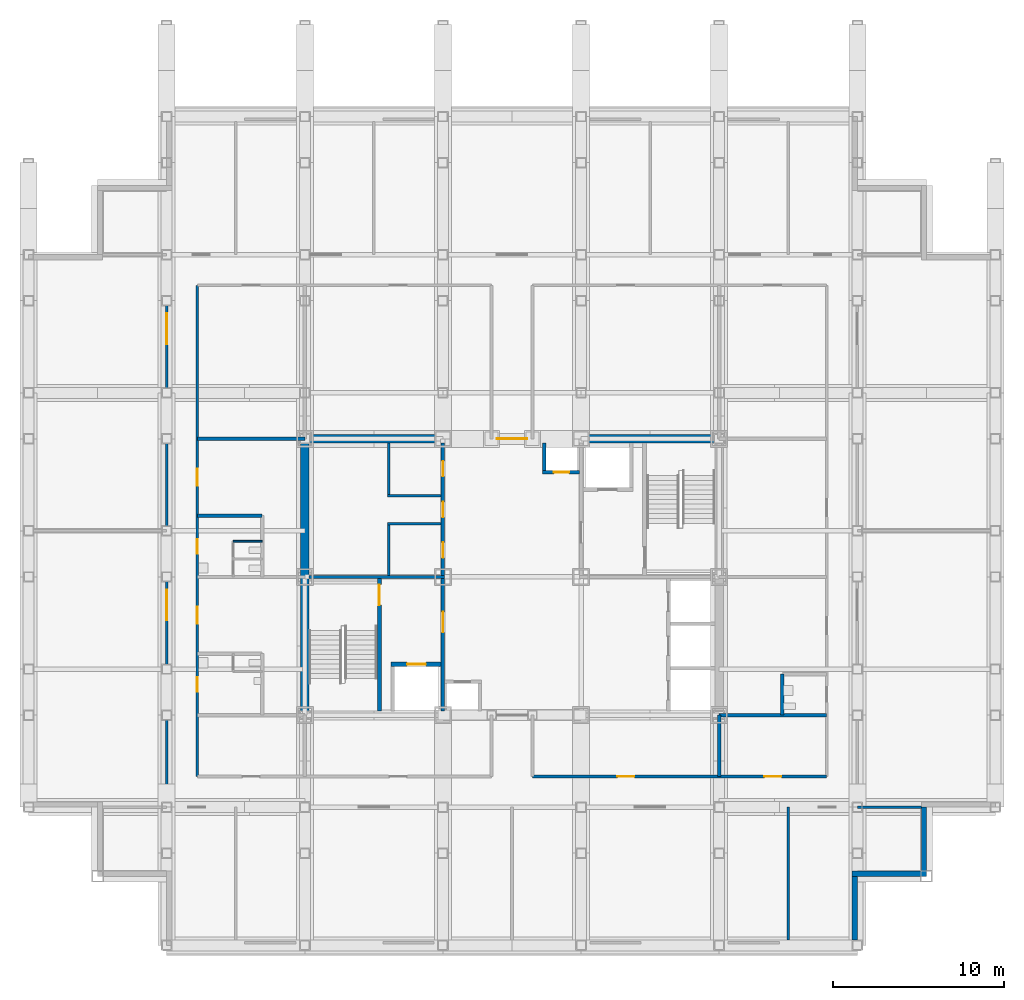
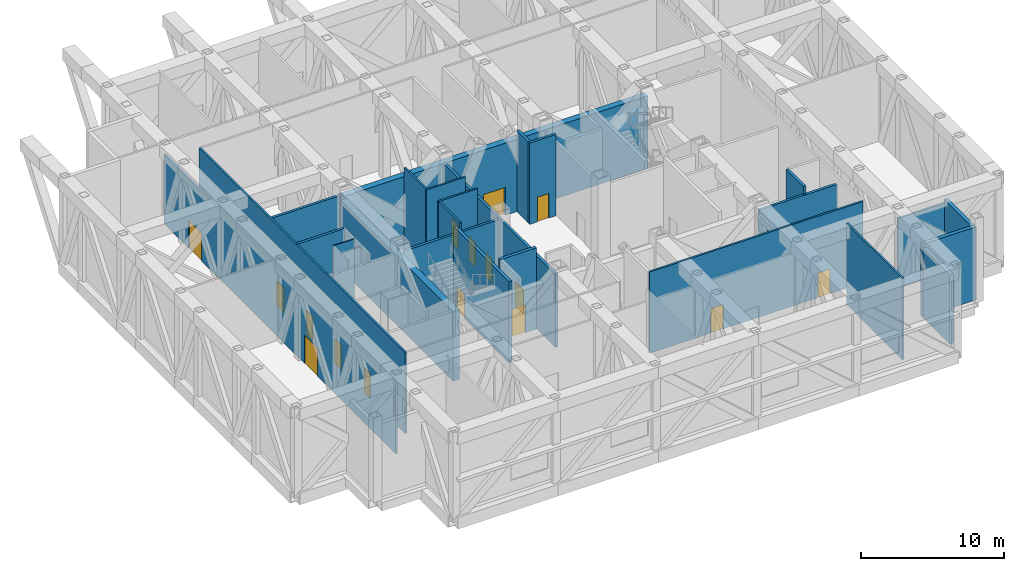
# One storey, part 8 of 13: 27 walls, 16 doors, 16 openings.
"""IFC4 building model written with IfcOpenShell, lengths in metres."""

from ifc_helpers import new_model, si_unit, direction, frame, frame_2d, origin, place, context, subcontext, project, spatial, rectangle, extrude, material, layer, layer_set, type_object, element, fill, save


model = new_model("IFC4")

# Units and contexts
model_context = context("Model", 3, precision=1e-05, world=origin(), true_north=direction((0.0, 1.0)))
body_context = subcontext(model_context, "Body", "Model", "MODEL_VIEW")
ifc_project = project(units=[si_unit("LENGTHUNIT", "METRE"), si_unit("AREAUNIT", "SQUARE_METRE"), si_unit("VOLUMEUNIT", "CUBIC_METRE"), si_unit("PLANEANGLEUNIT", "RADIAN"), si_unit("MASSUNIT", "GRAM", prefix="KILO")], contexts=[model_context])

# Site, building, storey
site_placement = place(None, origin())
site = spatial("IfcSite", under=ifc_project, at=site_placement, CompositionType="ELEMENT")
building_placement = place(site_placement, origin())
building = spatial("IfcBuilding", under=site, at=building_placement, Name="Kopane Lantern Tower", CompositionType="ELEMENT")
storey_placement = place(building_placement, frame((0.0, 0.0, 235.199951171875)))
storey = spatial("IfcBuildingStorey", under=building, at=storey_placement, Name="L61", CompositionType="ELEMENT", Elevation=235.199951171875)

# Wall
ifc_material_1 = material(Name="Moisture-resistant board on steel studs", Category="steel")
ifc_layer_1 = layer(ifc_material_1, 0.10009765625)
ifc_layer_set_1 = layer_set([ifc_layer_1], Name="BATHROOM WALL 100")
wall_type_1 = type_object("IfcWallType", Name="BATHROOM WALL 100", PredefinedType="PARTITIONING", material=ifc_layer_set_1)
wall_1_placement = place(storey_placement, frame((12.0, 34.5, 0.0), z_axis=(0.0, 0.0, 1.0), x_axis=(1.0, 0.0, 0.0)))
element("IfcWall", 1, at=wall_1_placement, inside=storey, type_object=wall_type_1, Name="Bathroom Wall 100 L61", PredefinedType="PARTITIONING", context=body_context, shape_type="SweptSolid", body=[
    extrude(rectangle(XDim=1.699951171875, YDim=0.10009765625, at=frame_2d((0.85009765625, 0.0))), origin(), (0.0, 0.0, 1.0), 6.949951171875),
])

# Wall, opening, door
ifc_material_2 = material(Name="Gypsum shaft wall EI 120", Category="gypsum")
ifc_layer_2 = layer(ifc_material_2, 0.5)
ifc_layer_set_2 = layer_set([ifc_layer_2], Name="CORE PERIMETER WALL 500 EI 120")
wall_type_2 = type_object("IfcWallType", Name="CORE PERIMETER WALL 500 EI 120", PredefinedType="SOLIDWALL", material=ifc_layer_set_2)
wall_2_placement = place(storey_placement, frame((15.949951171875, 40.5, 0.0), z_axis=(0.0, 0.0, 1.0), x_axis=(1.0, 0.0, 0.0)))
wall_2 = element("IfcWall", 2, at=wall_2_placement, inside=storey, type_object=wall_type_2, Name="Core shaft wall L61 PN", PredefinedType="SOLIDWALL", context=body_context, shape_type="SweptSolid", body=[
    extrude(rectangle(XDim=24.800048828125, YDim=0.5, at=frame_2d((12.39990234375, 0.0))), origin(), (0.0, 0.0, 1.0), 6.187744140625),
])
opening_1_placement = place(wall_2_placement, frame((11.5, 0.0, 0.0)))
opening_1 = element("IfcOpeningElement", 3, at=opening_1_placement, cuts=wall_2, Name="Opening 61.CE-N", PredefinedType="OPENING", context=body_context, shape_type="SweptSolid", body=[
    extrude(rectangle(XDim=1.800048828125, YDim=2.39990234375, at=frame_2d((0.89990234375, 1.199951171875))), frame((0.0, 0.260009765625, 0.0), z_axis=(0.0, -1.0, 0.0), x_axis=(1.0, 0.0, 0.0)), (0.0, 0.0, 1.0), 0.52001953125),
])
ifc_material_3 = material(Name="Steel door set", Category="steel")
door_type_1 = type_object("IfcDoorType", Name="CORE ENTRY DOOR 1800x2400 FD60S", OperationType="DOUBLE_DOOR_SINGLE_SWING", PredefinedType="DOOR", material=ifc_material_3)
door_1_placement = place(opening_1_placement, origin())
door_1 = element("IfcDoor", 4, at=door_1_placement, inside=storey, type_object=door_type_1, Name="Core entry door L61 north", OperationType="DOUBLE_DOOR_SINGLE_SWING", OverallHeight=2.39990234375, OverallWidth=1.800048828125, PredefinedType="DOOR", context=body_context, shape_type="SweptSolid", body=[
    extrude(rectangle(XDim=1.800048828125, YDim=2.39990234375, at=frame_2d((0.89990234375, 1.199951171875))), frame((0.0, 0.02490234375, 0.0), z_axis=(0.0, -1.0, 0.0), x_axis=(1.0, 0.0, 0.0)), (0.0, 0.0, 1.0), 0.050048828125),
])
fill(opening_1, door_1)

# Walls
wall_3_placement = place(storey_placement, frame((16.199951171875, 24.550048828125, 0.0), z_axis=(0.0, 0.0, 1.0), x_axis=(0.0, 1.0, 0.0)))
element("IfcWall", 5, at=wall_3_placement, inside=storey, type_object=wall_type_2, Name="Core shaft wall L61 PW", PredefinedType="SOLIDWALL", context=body_context, shape_type="SweptSolid", body=[
    extrude(rectangle(XDim=15.699951171875, YDim=0.5, at=frame_2d((7.85009765625, 0.0))), origin(), (0.0, 0.0, 1.0), 5.949951171875),
])
ifc_material_4 = material(Name="Gypsum partition EI 60", Category="gypsum")
ifc_layer_3 = layer(ifc_material_4, 0.14990234375)
ifc_layer_set_3 = layer_set([ifc_layer_3], Name="CORE ROOM PARTITION 150 EI 60")
wall_type_3 = type_object("IfcWallType", Name="CORE ROOM PARTITION 150 EI 60", PredefinedType="PARTITIONING", material=ifc_layer_set_3)
for number, where, z_axis, x_axis, name in (
    (6, (21.050048828125, 35.52490234375, 0.0), (0.0, 0.0, 1.0), (1.0, 0.0, 0.0), "Core room partition L61 WW1"),
    (7, (21.050048828125, 37.175048828125, 0.0), (0.0, 0.0, 1.0), (1.0, 0.0, 0.0), "Core room partition L61 WW2"),
):
    element("IfcWall", number, at=place(storey_placement, frame(where, z_axis=z_axis, x_axis=x_axis)), inside=storey, type_object=wall_type_3, Name=name, PredefinedType="PARTITIONING", context=body_context, shape_type="SweptSolid", body=[
        extrude(rectangle(XDim=3.14990234375, YDim=0.14990234375, at=frame_2d((1.574951171875, 0.0))), origin(), (0.0, 0.0, 1.0), 6.949951171875),
    ])
wall_4_placement = place(storey_placement, frame((21.125, 32.5, 0.0), z_axis=(0.0, 0.0, 1.0), x_axis=(0.0, 1.0, 0.0)))
element("IfcWall", 8, at=wall_4_placement, inside=storey, type_object=wall_type_3, Name="Core room partition L61 WWB0", PredefinedType="PARTITIONING", context=body_context, shape_type="SweptSolid", body=[
    extrude(rectangle(XDim=2.949951171875, YDim=0.14990234375, at=frame_2d((1.47509765625, 0.0))), origin(), (0.0, 0.0, 1.0), 6.949951171875),
])
wall_5_placement = place(storey_placement, frame((21.125, 37.25, 0.0), z_axis=(0.0, 0.0, 1.0), x_axis=(0.0, 1.0, 0.0)))
element("IfcWall", 9, at=wall_5_placement, inside=storey, type_object=wall_type_3, Name="Core room partition L61 WWB1", PredefinedType="PARTITIONING", context=body_context, shape_type="SweptSolid", body=[
    extrude(rectangle(XDim=3.0, YDim=0.14990234375, at=frame_2d((1.5, 0.0))), origin(), (0.0, 0.0, 1.0), 6.949951171875),
])

# Wall, openings, doors
ifc_material_5 = material(Name="Gypsum partition EI 60", Category="gypsum")
ifc_layer_4 = layer(ifc_material_5, 0.199951171875)
ifc_layer_set_4 = layer_set([ifc_layer_4], Name="CORE ROOM WALL 200 EI 60")
wall_type_4 = type_object("IfcWallType", Name="CORE ROOM WALL 200 EI 60", PredefinedType="PARTITIONING", material=ifc_layer_set_4)
wall_6_placement = place(storey_placement, frame((24.300048828125, 32.5, 0.0), z_axis=(0.0, 0.0, 1.0), x_axis=(0.0, 1.0, 0.0)))
wall_6 = element("IfcWall", 10, at=wall_6_placement, inside=storey, type_object=wall_type_4, Name="Core room wall L61 XW", PredefinedType="PARTITIONING", context=body_context, shape_type="SweptSolid", body=[
    extrude(rectangle(XDim=7.75, YDim=0.199951171875, at=frame_2d((3.875, 0.0))), origin(), (0.0, 0.0, 1.0), 6.25),
])
opening_2_placement = place(wall_6_placement, frame((1.02490234375, 0.0, 0.0)))
opening_2 = element("IfcOpeningElement", 11, at=opening_2_placement, cuts=wall_6, Name="Opening 61.C30", PredefinedType="OPENING", context=body_context, shape_type="SweptSolid", body=[
    extrude(rectangle(XDim=0.89990234375, YDim=2.10009765625, at=frame_2d((0.449951171875, 1.050048828125))), frame((0.0, 0.10986328125, 0.0), z_axis=(0.0, -1.0, 0.0), x_axis=(1.0, 0.0, 0.0)), (0.0, 0.0, 1.0), 0.219970703125),
])
opening_3_placement = place(wall_6_placement, frame((3.39990234375, 0.0, 0.0)))
opening_3 = element("IfcOpeningElement", 12, at=opening_3_placement, cuts=wall_6, Name="Opening 61.C31", PredefinedType="OPENING", context=body_context, shape_type="SweptSolid", body=[
    extrude(rectangle(XDim=0.89990234375, YDim=2.10009765625, at=frame_2d((0.449951171875, 1.050048828125))), frame((0.0, 0.10986328125, 0.0), z_axis=(0.0, -1.0, 0.0), x_axis=(1.0, 0.0, 0.0)), (0.0, 0.0, 1.0), 0.219970703125),
])
opening_4_placement = place(wall_6_placement, frame((5.800048828125, 0.0, 0.0)))
opening_4 = element("IfcOpeningElement", 13, at=opening_4_placement, cuts=wall_6, Name="Opening 61.C32", PredefinedType="OPENING", context=body_context, shape_type="SweptSolid", body=[
    extrude(rectangle(XDim=0.89990234375, YDim=2.10009765625, at=frame_2d((0.449951171875, 1.050048828125))), frame((0.0, 0.10986328125, 0.0), z_axis=(0.0, -1.0, 0.0), x_axis=(1.0, 0.0, 0.0)), (0.0, 0.0, 1.0), 0.219970703125),
])
ifc_material_6 = material(Name="Steel door set", Category="steel")
door_type_2 = type_object("IfcDoorType", Name="CORE ROOM DOOR 900x2100 FD60", OperationType="SINGLE_SWING_LEFT", PredefinedType="DOOR", material=ifc_material_6)
door_2_placement = place(opening_2_placement, origin())
door_2 = element("IfcDoor", 14, at=door_2_placement, inside=storey, type_object=door_type_2, Name="Door Spare parts store L61", OperationType="SINGLE_SWING_LEFT", OverallHeight=2.10009765625, OverallWidth=0.89990234375, PredefinedType="DOOR", context=body_context, shape_type="SweptSolid", body=[
    extrude(rectangle(XDim=0.89990234375, YDim=2.10009765625, at=frame_2d((0.449951171875, 1.050048828125))), frame((0.0, 0.02490234375, 0.0), z_axis=(0.0, -1.0, 0.0), x_axis=(1.0, 0.0, 0.0)), (0.0, 0.0, 1.0), 0.050048828125),
])
fill(opening_2, door_2)
door_3_placement = place(opening_3_placement, origin())
door_3 = element("IfcDoor", 15, at=door_3_placement, inside=storey, type_object=door_type_2, Name="Door Mechanical plant room L61", OperationType="SINGLE_SWING_RIGHT", OverallHeight=2.10009765625, OverallWidth=0.89990234375, PredefinedType="DOOR", context=body_context, shape_type="SweptSolid", body=[
    extrude(rectangle(XDim=0.89990234375, YDim=2.10009765625, at=frame_2d((0.449951171875, 1.050048828125))), frame((0.0, 0.02490234375, 0.0), z_axis=(0.0, -1.0, 0.0), x_axis=(1.0, 0.0, 0.0)), (0.0, 0.0, 1.0), 0.050048828125),
])
fill(opening_3, door_3)
door_4_placement = place(opening_4_placement, origin())
door_4 = element("IfcDoor", 16, at=door_4_placement, inside=storey, type_object=door_type_2, Name="Door Electrical room L61", OperationType="SINGLE_SWING_LEFT", OverallHeight=2.10009765625, OverallWidth=0.89990234375, PredefinedType="DOOR", context=body_context, shape_type="SweptSolid", body=[
    extrude(rectangle(XDim=0.89990234375, YDim=2.10009765625, at=frame_2d((0.449951171875, 1.050048828125))), frame((0.0, 0.02490234375, 0.0), z_axis=(0.0, -1.0, 0.0), x_axis=(1.0, 0.0, 0.0)), (0.0, 0.0, 1.0), 0.050048828125),
])
fill(opening_4, door_4)

# Wall, opening, door
ifc_material_7 = material(Name="Gypsum shaft wall EI 120", Category="gypsum")
ifc_layer_5 = layer(ifc_material_7, 0.25)
ifc_layer_set_5 = layer_set([ifc_layer_5], Name="CORE SHAFT WALL 250 EI 120")
wall_type_5 = type_object("IfcWallType", Name="CORE SHAFT WALL 250 EI 120", PredefinedType="SOLIDWALL", material=ifc_layer_set_5)
wall_7_placement = place(storey_placement, frame((20.574951171875, 24.550048828125, 0.0), z_axis=(0.0, 0.0, 1.0), x_axis=(0.0, 1.0, 0.0)))
wall_7 = element("IfcWall", 17, at=wall_7_placement, inside=storey, type_object=wall_type_5, Name="Core shaft wall L61 XST1", PredefinedType="SOLIDWALL", context=body_context, shape_type="SweptSolid", body=[
    extrude(rectangle(XDim=7.75, YDim=0.25, at=frame_2d((3.875, 0.0))), origin(), (0.0, 0.0, 1.0), 6.949951171875),
])
opening_5_placement = place(wall_7_placement, frame((6.199951171875, 0.0, 0.0)))
opening_5 = element("IfcOpeningElement", 18, at=opening_5_placement, cuts=wall_7, Name="Opening 61.SD1", PredefinedType="OPENING", context=body_context, shape_type="SweptSolid", body=[
    extrude(rectangle(XDim=1.199951171875, YDim=2.10009765625, at=frame_2d((0.60009765625, 1.050048828125))), frame((0.0, 0.135009765625, 0.0), z_axis=(0.0, -1.0, 0.0), x_axis=(1.0, 0.0, 0.0)), (0.0, 0.0, 1.0), 0.27001953125),
])
ifc_material_8 = material(Name="Steel door set", Category="steel")
door_type_3 = type_object("IfcDoorType", Name="STAIR DOOR 1200x2100 FD60S", OperationType="SINGLE_SWING_LEFT", PredefinedType="DOOR", material=ifc_material_8)
door_5_placement = place(opening_5_placement, origin())
door_5 = element("IfcDoor", 19, at=door_5_placement, inside=storey, type_object=door_type_3, Name="Stair door ST1 L61", OperationType="SINGLE_SWING_LEFT", OverallHeight=2.10009765625, OverallWidth=1.199951171875, PredefinedType="DOOR", context=body_context, shape_type="SweptSolid", body=[
    extrude(rectangle(XDim=1.199951171875, YDim=2.10009765625, at=frame_2d((0.60009765625, 1.050048828125))), frame((0.0, 0.02490234375, 0.0), z_axis=(0.0, -1.0, 0.0), x_axis=(1.0, 0.0, 0.0)), (0.0, 0.0, 1.0), 0.050048828125),
])
fill(opening_5, door_5)

wall_8_placement = place(storey_placement, frame((21.25, 27.27490234375, 0.0), z_axis=(0.0, 0.0, 1.0), x_axis=(1.0, 0.0, 0.0)))
wall_8 = element("IfcWall", 20, at=wall_8_placement, inside=storey, type_object=wall_type_5, Name="Core shaft wall L61 YLF1", PredefinedType="SOLIDWALL", context=body_context, shape_type="SweptSolid", body=[
    extrude(rectangle(XDim=2.949951171875, YDim=0.25, at=frame_2d((1.47509765625, 0.0))), origin(), (0.0, 0.0, 1.0), 6.949951171875),
])
opening_6_placement = place(wall_8_placement, frame((0.949951171875, 0.0, 0.0)))
opening_6 = element("IfcOpeningElement", 21, at=opening_6_placement, cuts=wall_8, Name="Opening 61.LD-LF1", PredefinedType="OPENING", context=body_context, shape_type="SweptSolid", body=[
    extrude(rectangle(XDim=1.10009765625, YDim=2.39990234375, at=frame_2d((0.550048828125, 1.199951171875))), frame((0.0, 0.135009765625, 0.0), z_axis=(0.0, -1.0, 0.0), x_axis=(1.0, 0.0, 0.0)), (0.0, 0.0, 1.0), 0.27001953125),
])
ifc_material_9 = material(Name="Steel door set", Category="steel")
door_type_4 = type_object("IfcDoorType", Name="LIFT LANDING DOOR 1100x2400 FD60", OperationType="DOUBLE_DOOR_SLIDING", PredefinedType="DOOR", material=ifc_material_9)
door_6_placement = place(opening_6_placement, origin())
door_6 = element("IfcDoor", 22, at=door_6_placement, inside=storey, type_object=door_type_4, Name="Landing door LF1 L61", OperationType="DOUBLE_DOOR_SLIDING", OverallHeight=2.39990234375, OverallWidth=1.10009765625, PredefinedType="DOOR", context=body_context, shape_type="SweptSolid", body=[
    extrude(rectangle(XDim=1.10009765625, YDim=2.39990234375, at=frame_2d((0.550048828125, 1.199951171875))), frame((0.0, 0.02490234375, 0.0), z_axis=(0.0, -1.0, 0.0), x_axis=(1.0, 0.0, 0.0)), (0.0, 0.0, 1.0), 0.050048828125),
])
fill(opening_6, door_6)

# Wall, openings, doors
ifc_material_10 = material(Name="Gypsum board on steel studs", Category="steel")
ifc_layer_6 = layer(ifc_material_10, 0.14990234375)
ifc_layer_set_6 = layer_set([ifc_layer_6], Name="CORRIDOR WALL 150 EI 60")
wall_type_6 = type_object("IfcWallType", Name="CORRIDOR WALL 150 EI 60", PredefinedType="PARTITIONING", material=ifc_layer_set_6)
wall_9_placement = place(storey_placement, frame((8.10009765625, 18.89990234375, 0.0), z_axis=(0.0, 0.0, 1.0), x_axis=(0.0, 1.0, 0.0)))
wall_9 = element("IfcWall", 23, at=wall_9_placement, inside=storey, type_object=wall_type_6, Name="Corridor Wall 150 Ei 60 L61", PredefinedType="PARTITIONING", context=body_context, shape_type="SweptSolid", body=[
    extrude(rectangle(XDim=32.400146484375, YDim=0.14990234375, at=frame_2d((16.2001953125, 0.0))), origin(), (0.0, 0.0, 1.0), 5.949951171875),
])
opening_7_placement = place(wall_9_placement, frame((10.949951171875, 0.0, 0.0)))
opening_7 = element("IfcOpeningElement", 24, at=opening_7_placement, cuts=wall_9, Name="Opening L61-021", PredefinedType="OPENING", context=body_context, shape_type="SweptSolid", body=[
    extrude(rectangle(XDim=1.800048828125, YDim=2.39990234375, at=frame_2d((0.89990234375, 1.199951171875))), frame((0.0, 0.0849609375, 0.0), z_axis=(0.0, -1.0, 0.0), x_axis=(1.0, 0.0, 0.0)), (0.0, 0.0, 1.0), 0.169921875),
])
opening_8_placement = place(wall_9_placement, frame((27.14990234375, 0.0, 0.0)))
opening_8 = element("IfcOpeningElement", 25, at=opening_8_placement, cuts=wall_9, Name="Opening L61-022", PredefinedType="OPENING", context=body_context, shape_type="SweptSolid", body=[
    extrude(rectangle(XDim=1.800048828125, YDim=2.39990234375, at=frame_2d((0.89990234375, 1.199951171875))), frame((0.0, 0.0849609375, 0.0), z_axis=(0.0, -1.0, 0.0), x_axis=(1.0, 0.0, 0.0)), (0.0, 0.0, 1.0), 0.169921875),
])
ifc_material_11 = material(Name="Steel door set", Category="steel")
door_type_5 = type_object("IfcDoorType", Name="DOOR D8 1800x2400 FD120", OperationType="SINGLE_SWING_LEFT", PredefinedType="DOOR", material=ifc_material_11)
door_7_placement = place(opening_7_placement, origin())
door_7 = element("IfcDoor", 26, at=door_7_placement, inside=storey, type_object=door_type_5, Name="Door L61-021", OperationType="DOUBLE_DOOR_SINGLE_SWING", OverallHeight=2.39990234375, OverallWidth=1.800048828125, PredefinedType="DOOR", context=body_context, shape_type="SweptSolid", body=[
    extrude(rectangle(XDim=1.800048828125, YDim=2.39990234375, at=frame_2d((0.89990234375, 1.199951171875))), frame((0.0, 0.02490234375, 0.0), z_axis=(0.0, -1.0, 0.0), x_axis=(1.0, 0.0, 0.0)), (0.0, 0.0, 1.0), 0.050048828125),
])
fill(opening_7, door_7)
door_8_placement = place(opening_8_placement, origin())
door_8 = element("IfcDoor", 27, at=door_8_placement, inside=storey, type_object=door_type_5, Name="Door L61-022", OperationType="DOUBLE_DOOR_SINGLE_SWING", OverallHeight=2.39990234375, OverallWidth=1.800048828125, PredefinedType="DOOR", context=body_context, shape_type="SweptSolid", body=[
    extrude(rectangle(XDim=1.800048828125, YDim=2.39990234375, at=frame_2d((0.89990234375, 1.199951171875))), frame((0.0, 0.02490234375, 0.0), z_axis=(0.0, -1.0, 0.0), x_axis=(1.0, 0.0, 0.0)), (0.0, 0.0, 1.0), 0.050048828125),
])
fill(opening_8, door_8)

wall_10_placement = place(storey_placement, frame((9.89990234375, 49.5, 0.0), z_axis=(0.0, 0.0, 1.0), x_axis=(0.0, -1.0, 0.0)))
wall_10 = element("IfcWall", 28, at=wall_10_placement, inside=storey, type_object=wall_type_6, Name="Corridor Wall 150 Ei 60 L61", PredefinedType="PARTITIONING", context=body_context, shape_type="SweptSolid", body=[
    extrude(rectangle(XDim=28.800048828125, YDim=0.14990234375, at=frame_2d((14.39990234375, 0.0))), origin(), (0.0, 0.0, 1.0), 6.949951171875),
])
opening_9_placement = place(wall_10_placement, frame((22.97509765625, 0.0, 0.0)))
opening_9 = element("IfcOpeningElement", 29, at=opening_9_placement, cuts=wall_10, Name="Opening L61-001", PredefinedType="OPENING", context=body_context, shape_type="SweptSolid", body=[
    extrude(rectangle(XDim=0.85009765625, YDim=2.10009765625, at=frame_2d((0.425048828125, 1.050048828125))), frame((0.0, 0.0849609375, 0.0), z_axis=(0.0, -1.0, 0.0), x_axis=(1.0, 0.0, 0.0)), (0.0, 0.0, 1.0), 0.169921875),
])
opening_10_placement = place(wall_10_placement, frame((18.85009765625, 0.0, 0.0)))
opening_10 = element("IfcOpeningElement", 30, at=opening_10_placement, cuts=wall_10, Name="Opening L61-002", PredefinedType="OPENING", context=body_context, shape_type="SweptSolid", body=[
    extrude(rectangle(XDim=1.0, YDim=2.10009765625, at=frame_2d((0.5, 1.050048828125))), frame((0.0, 0.0849609375, 0.0), z_axis=(0.0, -1.0, 0.0), x_axis=(1.0, 0.0, 0.0)), (0.0, 0.0, 1.0), 0.169921875),
])
opening_11_placement = place(wall_10_placement, frame((14.875, 0.0, 0.0)))
opening_11 = element("IfcOpeningElement", 31, at=opening_11_placement, cuts=wall_10, Name="Opening L61-003", PredefinedType="OPENING", context=body_context, shape_type="SweptSolid", body=[
    extrude(rectangle(XDim=0.85009765625, YDim=2.10009765625, at=frame_2d((0.425048828125, 1.050048828125))), frame((0.0, 0.0849609375, 0.0), z_axis=(0.0, -1.0, 0.0), x_axis=(1.0, 0.0, 0.0)), (0.0, 0.0, 1.0), 0.169921875),
])
opening_12_placement = place(wall_10_placement, frame((10.75, 0.0, 0.0)))
opening_12 = element("IfcOpeningElement", 32, at=opening_12_placement, cuts=wall_10, Name="Opening L61-004", PredefinedType="OPENING", context=body_context, shape_type="SweptSolid", body=[
    extrude(rectangle(XDim=1.0, YDim=2.10009765625, at=frame_2d((0.5, 1.050048828125))), frame((0.0, 0.0849609375, 0.0), z_axis=(0.0, -1.0, 0.0), x_axis=(1.0, 0.0, 0.0)), (0.0, 0.0, 1.0), 0.169921875),
])
ifc_material_12 = material(Name="Timber door set", Category="wood")
door_type_6 = type_object("IfcDoorType", Name="DOOR D4 850x2100", OperationType="SINGLE_SWING_LEFT", PredefinedType="DOOR", material=ifc_material_12)
door_9_placement = place(opening_9_placement, origin())
door_9 = element("IfcDoor", 33, at=door_9_placement, inside=storey, type_object=door_type_6, Name="Door L61-001", OperationType="SINGLE_SWING_RIGHT", OverallHeight=2.10009765625, OverallWidth=0.85009765625, PredefinedType="DOOR", context=body_context, shape_type="SweptSolid", body=[
    extrude(rectangle(XDim=0.85009765625, YDim=2.10009765625, at=frame_2d((0.425048828125, 1.050048828125))), frame((0.0, 0.02490234375, 0.0), z_axis=(0.0, -1.0, 0.0), x_axis=(1.0, 0.0, 0.0)), (0.0, 0.0, 1.0), 0.050048828125),
])
fill(opening_9, door_9)
door_10_placement = place(opening_11_placement, origin())
door_10 = element("IfcDoor", 34, at=door_10_placement, inside=storey, type_object=door_type_6, Name="Door L61-003", OperationType="SINGLE_SWING_RIGHT", OverallHeight=2.10009765625, OverallWidth=0.85009765625, PredefinedType="DOOR", context=body_context, shape_type="SweptSolid", body=[
    extrude(rectangle(XDim=0.85009765625, YDim=2.10009765625, at=frame_2d((0.425048828125, 1.050048828125))), frame((0.0, 0.02490234375, 0.0), z_axis=(0.0, -1.0, 0.0), x_axis=(1.0, 0.0, 0.0)), (0.0, 0.0, 1.0), 0.050048828125),
])
fill(opening_11, door_10)
ifc_material_13 = material(Name="Steel door set", Category="steel")
door_type_7 = type_object("IfcDoorType", Name="DOOR D5 1000x2100 FD60", OperationType="SINGLE_SWING_LEFT", PredefinedType="DOOR", material=ifc_material_13)
door_11_placement = place(opening_10_placement, origin())
door_11 = element("IfcDoor", 35, at=door_11_placement, inside=storey, type_object=door_type_7, Name="Door L61-002", OperationType="SINGLE_SWING_LEFT", OverallHeight=2.10009765625, OverallWidth=1.0, PredefinedType="DOOR", context=body_context, shape_type="SweptSolid", body=[
    extrude(rectangle(XDim=1.0, YDim=2.10009765625, at=frame_2d((0.5, 1.050048828125))), frame((0.0, 0.02490234375, 0.0), z_axis=(0.0, -1.0, 0.0), x_axis=(1.0, 0.0, 0.0)), (0.0, 0.0, 1.0), 0.050048828125),
])
fill(opening_10, door_11)
door_12_placement = place(opening_12_placement, origin())
door_12 = element("IfcDoor", 36, at=door_12_placement, inside=storey, type_object=door_type_7, Name="Door L61-004", OperationType="SINGLE_SWING_LEFT", OverallHeight=2.10009765625, OverallWidth=1.0, PredefinedType="DOOR", context=body_context, shape_type="SweptSolid", body=[
    extrude(rectangle(XDim=1.0, YDim=2.10009765625, at=frame_2d((0.5, 1.050048828125))), frame((0.0, 0.02490234375, 0.0), z_axis=(0.0, -1.0, 0.0), x_axis=(1.0, 0.0, 0.0)), (0.0, 0.0, 1.0), 0.050048828125),
])
fill(opening_12, door_12)

wall_11_placement = place(storey_placement, frame((29.56005859375, 20.699951171875, 0.0), z_axis=(0.0, 0.0, 1.0), x_axis=(1.0, 0.0, 0.0)))
wall_11 = element("IfcWall", 37, at=wall_11_placement, inside=storey, type_object=wall_type_6, Name="Corridor Wall 150 Ei 60 L61", PredefinedType="PARTITIONING", context=body_context, shape_type="SweptSolid", body=[
    extrude(rectangle(XDim=17.239990234375, YDim=0.14990234375, at=frame_2d((8.6201171875, 0.0))), origin(), (0.0, 0.0, 1.0), 6.949951171875),
])
opening_13_placement = place(wall_11_placement, frame((4.965087890625, 0.0, 0.0)))
opening_13 = element("IfcOpeningElement", 38, at=opening_13_placement, cuts=wall_11, Name="Opening L61-010", PredefinedType="OPENING", context=body_context, shape_type="SweptSolid", body=[
    extrude(rectangle(XDim=1.0, YDim=2.10009765625, at=frame_2d((0.5, 1.050048828125))), frame((0.0, 0.0849609375, 0.0), z_axis=(0.0, -1.0, 0.0), x_axis=(1.0, 0.0, 0.0)), (0.0, 0.0, 1.0), 0.169921875),
])
opening_14_placement = place(wall_11_placement, frame((13.590087890625, 0.0, 0.0)))
opening_14 = element("IfcOpeningElement", 39, at=opening_14_placement, cuts=wall_11, Name="Opening L61-011", PredefinedType="OPENING", context=body_context, shape_type="SweptSolid", body=[
    extrude(rectangle(XDim=1.0, YDim=2.10009765625, at=frame_2d((0.5, 1.050048828125))), frame((0.0, 0.0849609375, 0.0), z_axis=(0.0, -1.0, 0.0), x_axis=(1.0, 0.0, 0.0)), (0.0, 0.0, 1.0), 0.169921875),
])
door_13_placement = place(opening_13_placement, origin())
door_13 = element("IfcDoor", 40, at=door_13_placement, inside=storey, type_object=door_type_7, Name="Door L61-010", OperationType="SINGLE_SWING_LEFT", OverallHeight=2.10009765625, OverallWidth=1.0, PredefinedType="DOOR", context=body_context, shape_type="SweptSolid", body=[
    extrude(rectangle(XDim=1.0, YDim=2.10009765625, at=frame_2d((0.5, 1.050048828125))), frame((0.0, 0.02490234375, 0.0), z_axis=(0.0, -1.0, 0.0), x_axis=(1.0, 0.0, 0.0)), (0.0, 0.0, 1.0), 0.050048828125),
])
fill(opening_13, door_13)
door_14_placement = place(opening_14_placement, origin())
door_14 = element("IfcDoor", 41, at=door_14_placement, inside=storey, type_object=door_type_7, Name="Door L61-011", OperationType="SINGLE_SWING_RIGHT", OverallHeight=2.10009765625, OverallWidth=1.0, PredefinedType="DOOR", context=body_context, shape_type="SweptSolid", body=[
    extrude(rectangle(XDim=1.0, YDim=2.10009765625, at=frame_2d((0.5, 1.050048828125))), frame((0.0, 0.02490234375, 0.0), z_axis=(0.0, -1.0, 0.0), x_axis=(1.0, 0.0, 0.0)), (0.0, 0.0, 1.0), 0.050048828125),
])
fill(opening_14, door_14)

# Walls
ifc_material_14 = material(Name="Gypsum board on steel studs", Category="steel")
ifc_layer_7 = layer(ifc_material_14, 0.14990234375)
ifc_layer_set_7 = layer_set([ifc_layer_7], Name="DEMISING WALL 150 EI 60")
wall_type_7 = type_object("IfcWallType", Name="DEMISING WALL 150 EI 60", PredefinedType="PARTITIONING", material=ifc_layer_set_7)
wall_12_placement = place(storey_placement, frame((48.60009765625, 18.89990234375, 0.0), z_axis=(0.0, 0.0, 1.0), x_axis=(1.0, 0.0, 0.0)))
element("IfcWall", 42, at=wall_12_placement, inside=storey, type_object=wall_type_7, Name="Demising Wall 150 Ei 60 L61", PredefinedType="PARTITIONING", context=body_context, shape_type="SweptSolid", body=[
    extrude(rectangle(XDim=3.75, YDim=0.14990234375, at=frame_2d((1.875, 0.0))), origin(), (0.0, 0.0, 1.0), 5.949951171875),
])
wall_13_placement = place(storey_placement, frame((44.550048828125, 18.89990234375, 0.0), z_axis=(0.0, 0.0, 1.0), x_axis=(0.0, -1.0, 0.0)))
element("IfcWall", 43, at=wall_13_placement, inside=storey, type_object=wall_type_7, Name="Demising Wall 150 Ei 60 L61", PredefinedType="PARTITIONING", context=body_context, shape_type="SweptSolid", body=[
    extrude(rectangle(XDim=7.7998046875, YDim=0.14990234375, at=frame_2d((3.89990234375, 0.0))), origin(), (0.0, 0.0, 1.0), 6.949951171875),
])
ifc_material_15 = material(Name="Terracotta rainscreen on light steel framing", Category="masonry")
ifc_layer_8 = layer(ifc_material_15, 0.300048828125)
ifc_layer_set_8 = layer_set([ifc_layer_8], Name="EXTERNAL WALL EW1 300 TERRACOTTA")
wall_type_8 = type_object("IfcWallType", Name="EXTERNAL WALL EW1 300 TERRACOTTA", PredefinedType="SOLIDWALL", material=ifc_layer_set_8)
wall_14_placement = place(storey_placement, frame((48.449951171875, 11.10009765625, 0.0), z_axis=(0.0, 0.0, 1.0), x_axis=(0.0, 1.0, 0.0)))
element("IfcWall", 44, at=wall_14_placement, inside=storey, type_object=wall_type_8, Name="External wall E L61", PredefinedType="SOLIDWALL", context=body_context, shape_type="SweptSolid", body=[
    extrude(rectangle(XDim=3.75, YDim=0.300048828125, at=frame_2d((1.875, 0.0))), origin(), (0.0, 0.0, 1.0), 5.949951171875),
])
wall_15_placement = place(storey_placement, frame((48.300048828125, 15.0, 0.0), z_axis=(0.0, 0.0, 1.0), x_axis=(1.0, 0.0, 0.0)))
element("IfcWall", 45, at=wall_15_placement, inside=storey, type_object=wall_type_8, Name="External wall S L61", PredefinedType="SOLIDWALL", context=body_context, shape_type="SweptSolid", body=[
    extrude(rectangle(XDim=4.349853515625, YDim=0.300048828125, at=frame_2d((2.1748046875, 0.0))), origin(), (0.0, 0.0, 1.0), 6.25),
])
wall_16_placement = place(storey_placement, frame((52.5, 15.14990234375, 0.0), z_axis=(0.0, 0.0, 1.0), x_axis=(0.0, 1.0, 0.0)))
element("IfcWall", 46, at=wall_16_placement, inside=storey, type_object=wall_type_8, Name="External wall E L61", PredefinedType="SOLIDWALL", context=body_context, shape_type="SweptSolid", body=[
    extrude(rectangle(XDim=3.75, YDim=0.300048828125, at=frame_2d((1.875, 0.0))), origin(), (0.0, 0.0, 1.0), 6.25),
])
ifc_material_16 = material(Name="Concrete masonry", Category="masonry")
ifc_layer_9 = layer(ifc_material_16, 0.199951171875)
ifc_layer_set_9 = layer_set([ifc_layer_9], Name="PLANT ROOM WALL 200 EI 120")
wall_type_9 = type_object("IfcWallType", Name="PLANT ROOM WALL 200 EI 120", PredefinedType="SOLIDWALL", material=ifc_layer_set_9)
wall_17_placement = place(storey_placement, frame((9.89990234375, 36.0, 0.0), z_axis=(0.0, 0.0, 1.0), x_axis=(1.0, 0.0, 0.0)))
element("IfcWall", 47, at=wall_17_placement, inside=storey, type_object=wall_type_9, Name="Plant Room Wall 200 Ei 120 L61", PredefinedType="SOLIDWALL", context=body_context, shape_type="SweptSolid", body=[
    extrude(rectangle(XDim=3.800048828125, YDim=0.199951171875, at=frame_2d((1.89990234375, 0.0))), origin(), (0.0, 0.0, 1.0), 6.949951171875),
])
wall_18_placement = place(storey_placement, frame((44.199951171875, 24.300048828125, 0.0), z_axis=(0.0, 0.0, 1.0), x_axis=(0.0, 1.0, 0.0)))
element("IfcWall", 48, at=wall_18_placement, inside=storey, type_object=wall_type_9, Name="Plant Room Wall 200 Ei 120 L61", PredefinedType="SOLIDWALL", context=body_context, shape_type="SweptSolid", body=[
    extrude(rectangle(XDim=2.39990234375, YDim=0.199951171875, at=frame_2d((1.199951171875, 0.0))), origin(), (0.0, 0.0, 1.0), 6.949951171875),
])
wall_19_placement = place(storey_placement, frame((40.5, 20.699951171875, 0.0), z_axis=(0.0, 0.0, 1.0), x_axis=(0.0, 1.0, 0.0)))
element("IfcWall", 49, at=wall_19_placement, inside=storey, type_object=wall_type_9, Name="Plant Room Wall 200 Ei 120 L61", PredefinedType="SOLIDWALL", context=body_context, shape_type="SweptSolid", body=[
    extrude(rectangle(XDim=3.60009765625, YDim=0.199951171875, at=frame_2d((1.800048828125, 0.0))), origin(), (0.0, 0.0, 1.0), 5.949951171875),
])
for number, where, z_axis, x_axis, name in (
    (50, (9.89990234375, 40.5, 0.0), (0.0, 0.0, 1.0), (1.0, 0.0, 0.0), "Plant Room Wall 200 Ei 120 L61"),
    (51, (40.5, 24.300048828125, 0.0), (0.0, 0.0, 1.0), (1.0, 0.0, 0.0), "Plant Room Wall 200 Ei 120 L61"),
):
    element("IfcWall", number, at=place(storey_placement, frame(where, z_axis=z_axis, x_axis=x_axis)), inside=storey, type_object=wall_type_9, Name=name, PredefinedType="SOLIDWALL", context=body_context, shape_type="SweptSolid", body=[
        extrude(rectangle(XDim=6.300048828125, YDim=0.199951171875, at=frame_2d((3.14990234375, 0.0))), origin(), (0.0, 0.0, 1.0), 6.25),
    ])
ifc_material_17 = material(Name="Gypsum shaft wall EI 120", Category="gypsum")
ifc_layer_10 = layer(ifc_material_17, 0.199951171875)
ifc_layer_set_10 = layer_set([ifc_layer_10], Name="SHAFT WALL 200 EI 120")
wall_type_10 = type_object("IfcWallType", Name="SHAFT WALL 200 EI 120", PredefinedType="SOLIDWALL", material=ifc_layer_set_10)
wall_20_placement = place(storey_placement, frame((16.449951171875, 32.39990234375, 0.0), z_axis=(0.0, 0.0, 1.0), x_axis=(1.0, 0.0, 0.0)))
element("IfcWall", 52, at=wall_20_placement, inside=storey, type_object=wall_type_10, Name="Core shaft wall L61 Y324W", PredefinedType="SOLIDWALL", context=body_context, shape_type="SweptSolid", body=[
    extrude(rectangle(XDim=7.949951171875, YDim=0.199951171875, at=frame_2d((3.97509765625, 0.0))), origin(), (0.0, 0.0, 1.0), 6.25),
])

# Wall, opening, door
wall_21_placement = place(storey_placement, frame((24.300048828125, 24.550048828125, 0.0), z_axis=(0.0, 0.0, 1.0), x_axis=(0.0, 1.0, 0.0)))
wall_21 = element("IfcWall", 53, at=wall_21_placement, inside=storey, type_object=wall_type_10, Name="Core shaft wall L61 X243", PredefinedType="SOLIDWALL", context=body_context, shape_type="SweptSolid", body=[
    extrude(rectangle(XDim=7.75, YDim=0.199951171875, at=frame_2d((3.875, 0.0))), origin(), (0.0, 0.0, 1.0), 6.25),
])
opening_15_placement = place(wall_21_placement, frame((4.60009765625, 0.0, 0.0)))
opening_15 = element("IfcOpeningElement", 54, at=opening_15_placement, cuts=wall_21, Name="Opening 61.FL1", PredefinedType="OPENING", context=body_context, shape_type="SweptSolid", body=[
    extrude(rectangle(XDim=1.199951171875, YDim=2.10009765625, at=frame_2d((0.60009765625, 1.050048828125))), frame((0.0, 0.10986328125, 0.0), z_axis=(0.0, -1.0, 0.0), x_axis=(1.0, 0.0, 0.0)), (0.0, 0.0, 1.0), 0.219970703125),
])
ifc_material_18 = material(Name="Steel door set", Category="steel")
door_type_8 = type_object("IfcDoorType", Name="FIREFIGHTING LOBBY DOOR 1200x2100 FD60S", OperationType="SINGLE_SWING_RIGHT", PredefinedType="DOOR", material=ifc_material_18)
door_15_placement = place(opening_15_placement, origin())
door_15 = element("IfcDoor", 55, at=door_15_placement, inside=storey, type_object=door_type_8, Name="Firefighting lobby door FL1 L61", OperationType="SINGLE_SWING_LEFT", OverallHeight=2.10009765625, OverallWidth=1.199951171875, PredefinedType="DOOR", context=body_context, shape_type="SweptSolid", body=[
    extrude(rectangle(XDim=1.199951171875, YDim=2.10009765625, at=frame_2d((0.60009765625, 1.050048828125))), frame((0.0, 0.02490234375, 0.0), z_axis=(0.0, -1.0, 0.0), x_axis=(1.0, 0.0, 0.0)), (0.0, 0.0, 1.0), 0.050048828125),
])
fill(opening_15, door_15)

# Wall
wall_22_placement = place(storey_placement, frame((30.25, 38.64990234375, 0.0), z_axis=(0.0, 0.0, 1.0), x_axis=(0.0, 1.0, 0.0)))
element("IfcWall", 56, at=wall_22_placement, inside=storey, type_object=wall_type_10, Name="Core shaft wall L61 XRS2", PredefinedType="SOLIDWALL", context=body_context, shape_type="SweptSolid", body=[
    extrude(rectangle(XDim=1.60009765625, YDim=0.199951171875, at=frame_2d((0.800048828125, 0.0))), origin(), (0.0, 0.0, 1.0), 6.949951171875),
])

# Wall, opening, door
wall_23_placement = place(storey_placement, frame((30.14990234375, 38.550048828125, 0.0), z_axis=(0.0, 0.0, 1.0), x_axis=(1.0, 0.0, 0.0)))
wall_23 = element("IfcWall", 57, at=wall_23_placement, inside=storey, type_object=wall_type_10, Name="Core shaft wall L61 YRS2", PredefinedType="SOLIDWALL", context=body_context, shape_type="SweptSolid", body=[
    extrude(rectangle(XDim=2.150146484375, YDim=0.199951171875, at=frame_2d((1.0751953125, 0.0))), origin(), (0.0, 0.0, 1.0), 6.949951171875),
])
opening_16_placement = place(wall_23_placement, frame((0.64990234375, 0.0, 0.0)))
opening_16 = element("IfcOpeningElement", 58, at=opening_16_placement, cuts=wall_23, Name="Opening 61.RS2", PredefinedType="OPENING", context=body_context, shape_type="SweptSolid", body=[
    extrude(rectangle(XDim=0.89990234375, YDim=2.10009765625, at=frame_2d((0.449951171875, 1.050048828125))), frame((0.0, 0.10986328125, 0.0), z_axis=(0.0, -1.0, 0.0), x_axis=(1.0, 0.0, 0.0)), (0.0, 0.0, 1.0), 0.219970703125),
])
ifc_material_19 = material(Name="Steel door set", Category="steel")
door_type_9 = type_object("IfcDoorType", Name="RISER ACCESS DOOR 900x2100 FD60", OperationType="SINGLE_SWING_LEFT", PredefinedType="DOOR", material=ifc_material_19)
door_16_placement = place(opening_16_placement, origin())
door_16 = element("IfcDoor", 59, at=door_16_placement, inside=storey, type_object=door_type_9, Name="Riser access door RS2 L61", OperationType="SINGLE_SWING_LEFT", OverallHeight=2.10009765625, OverallWidth=0.89990234375, PredefinedType="DOOR", context=body_context, shape_type="SweptSolid", body=[
    extrude(rectangle(XDim=0.89990234375, YDim=2.10009765625, at=frame_2d((0.449951171875, 1.050048828125))), frame((0.0, 0.02490234375, 0.0), z_axis=(0.0, -1.0, 0.0), x_axis=(1.0, 0.0, 0.0)), (0.0, 0.0, 1.0), 0.050048828125),
])
fill(opening_16, door_16)

save(model, "model.ifc")
